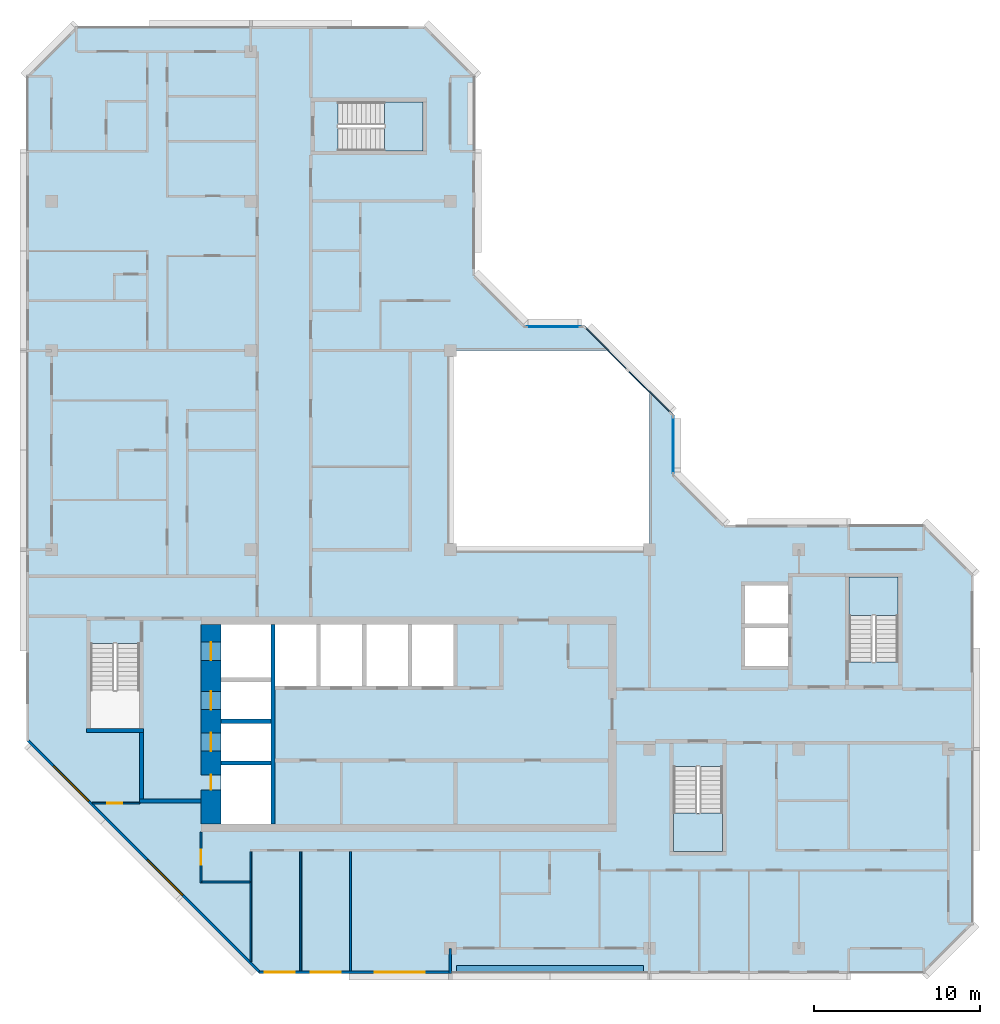
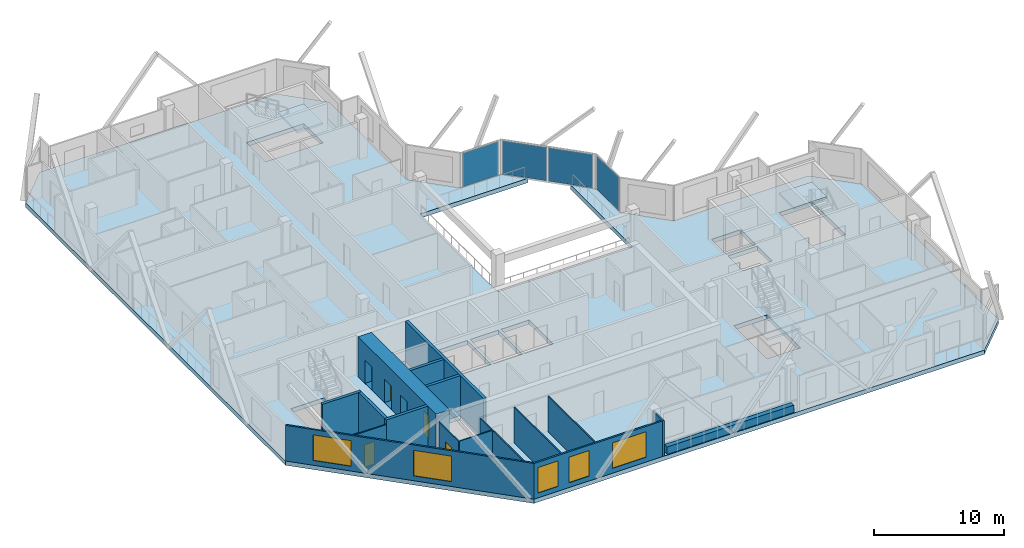
# One storey, part 3 of 12: 17 walls, 6 doors, 5 windows, 4 plates, 4 slabs, 11 openings, 6 elements without a shape of their own.
"""IFC4 building model written with IfcOpenShell, lengths in metres."""

from ifc_helpers import new_model, si_unit, direction, frame, frame_2d, origin, origin_2d, place, context, subcontext, project, spatial, polyline, rectangle, outline, extrude, material, layer, layer_set, type_object, element, fill, aggregate, save


model = new_model("IFC4")

# Units and contexts
model_context = context("Model", 3, precision=1e-05, world=origin(), true_north=direction((0.0, 1.0)))
body_context = subcontext(model_context, "Body", "Model", "MODEL_VIEW")
ifc_project = project(units=[si_unit("LENGTHUNIT", "METRE"), si_unit("AREAUNIT", "SQUARE_METRE"), si_unit("VOLUMEUNIT", "CUBIC_METRE"), si_unit("PLANEANGLEUNIT", "RADIAN"), si_unit("MASSUNIT", "GRAM", prefix="KILO")], contexts=[model_context])

# Site, building, storey
site_placement = place(None, origin())
site = spatial("IfcSite", under=ifc_project, at=site_placement, CompositionType="ELEMENT")
building_placement = place(site_placement, origin())
building = spatial("IfcBuilding", under=site, at=building_placement, Name="Chenar Terraces", CompositionType="ELEMENT")
storey_placement = place(building_placement, frame((0.0, 0.0, 353.89990234375)))
storey = spatial("IfcBuildingStorey", under=building, at=storey_placement, Name="L82", CompositionType="ELEMENT", Elevation=353.89990234375)

# Curtain wall, plate
ifc_material_1 = material(Name="Aluminium framed glazing", Category="aluminium")
ifc_layer_1 = layer(ifc_material_1, 0.14990234375)
ifc_layer_set_1 = layer_set([ifc_layer_1], Name="Aluminium framed glazing")
curtain_wall_type = type_object("IfcCurtainWallType", Name="Atrium upper-zone curtain wall", PredefinedType="NOTDEFINED", material=ifc_layer_set_1)
placement_1 = place(storey_placement, origin())
curtain_wall_1 = element("IfcCurtainWall", 1, at=placement_1, inside=storey, type_object=curtain_wall_type, Name="Atrium upper-zone curtain wall", PredefinedType="NOTDEFINED")
ifc_material_2 = material(Name="Low emissivity laminated glass, solar control coating", Category="glass")
ifc_layer_2 = layer(ifc_material_2, 0.050048828125)
ifc_layer_set_2 = layer_set([ifc_layer_2], Name="Low emissivity laminated glass, solar control coating")
plate_type = type_object("IfcPlateType", Name="Atrium upper-zone glazing panel 50", PredefinedType="CURTAIN_PANEL", material=ifc_layer_set_2)
plate_1_placement = place(storey_placement, frame((37.425048828125, 30.300048828125, 0.10009765625), z_axis=(0.0, 0.0, 1.0), x_axis=(0.0, 1.0, 0.0)))
plate_1 = element("IfcPlate", 2, at=plate_1_placement, type_object=plate_type, Name="CW8-1 panel 1.1", PredefinedType="CURTAIN_PANEL", context=body_context, shape_type="SweptSolid", body=[
    extrude(rectangle(XDim=3.39990234375, YDim=0.050048828125, at=origin_2d()), origin(), (0.0, 0.0, 1.0), 3.14990234375),
])
aggregate(curtain_wall_1, [plate_1])

# Curtain wall, plates
curtain_wall_2 = element("IfcCurtainWall", 3, at=placement_1, inside=storey, type_object=curtain_wall_type, Name="Atrium upper-zone curtain wall", PredefinedType="NOTDEFINED")
plate_2_placement = place(storey_placement, frame((35.97314453125, 33.520751953125, 0.10009765625), z_axis=(0.0, 0.0, 1.0), x_axis=(-0.707106781187, 0.707106781187, 0.0)))
plate_2 = element("IfcPlate", 4, at=plate_2_placement, type_object=plate_type, Name="CW8-2 panel 1.1", PredefinedType="CURTAIN_PANEL", context=body_context, shape_type="SweptSolid", body=[
    extrude(rectangle(XDim=3.568359375, YDim=0.050048828125, at=origin_2d()), origin(), (0.0, 0.0, 1.0), 3.14990234375),
])
plate_3_placement = place(storey_placement, frame((33.379150390625, 36.11474609375, 0.10009765625), z_axis=(0.0, 0.0, 1.0), x_axis=(-0.707106781187, 0.707106781187, 0.0)))
plate_3 = element("IfcPlate", 5, at=plate_3_placement, type_object=plate_type, Name="CW8-2 panel 2.1", PredefinedType="CURTAIN_PANEL", context=body_context, shape_type="SweptSolid", body=[
    extrude(rectangle(XDim=3.568359375, YDim=0.050048828125, at=origin_2d()), origin(), (0.0, 0.0, 1.0), 3.14990234375),
])
aggregate(curtain_wall_2, [plate_2, plate_3])

# Curtain wall, plate
curtain_wall_3 = element("IfcCurtainWall", 6, at=placement_1, inside=storey, type_object=curtain_wall_type, Name="Atrium upper-zone curtain wall", PredefinedType="NOTDEFINED")
plate_4_placement = place(storey_placement, frame((30.199951171875, 37.425048828125, 0.10009765625), z_axis=(0.0, 0.0, 1.0), x_axis=(-1.0, 0.0, 0.0)))
plate_4 = element("IfcPlate", 7, at=plate_4_placement, type_object=plate_type, Name="CW8-3 panel 1.1", PredefinedType="CURTAIN_PANEL", context=body_context, shape_type="SweptSolid", body=[
    extrude(rectangle(XDim=3.199951171875, YDim=0.050048828125, at=origin_2d()), origin(), (0.0, 0.0, 1.0), 3.14990234375),
])
aggregate(curtain_wall_3, [plate_4])

# Stair, slab
ifc_material_3 = material(Name="Reinforced concrete C40/50", Category="concrete")
stair_type = type_object("IfcStairType", Name="Core stair 1400 half-turn", PredefinedType="HALF_TURN_STAIR", material=ifc_material_3)
stair_1 = element("IfcStair", 8, at=placement_1, inside=storey, type_object=stair_type, Name="L82 Stair 2", PredefinedType="HALF_TURN_STAIR")
ifc_material_4 = material(Name="Reinforced concrete C40/50", Category="concrete")
ifc_layer_3 = layer(ifc_material_4, 0.199951171875)
ifc_layer_set_3 = layer_set([ifc_layer_3], Name="Reinforced concrete C40/50")
slab_type_1 = type_object("IfcSlabType", Name="Core stair landing 200", PredefinedType="LANDING", material=ifc_layer_set_3)
placement_2 = place(storey_placement, frame((0.0, 0.0, 1.675048828125)))
slab_1 = element("IfcSlab", 9, at=placement_2, type_object=slab_type_1, Name="ST2 landing 1", PredefinedType="LANDING", context=body_context, shape_type="SweptSolid", body=[
    extrude(outline(polyline([(37.449951171875, 8.14990234375), (37.449951171875, 5.85009765625), (40.39990234375, 5.85009765625), (40.39990234375, 8.14990234375), (37.449951171875, 8.14990234375)])), origin(), (0.0, 0.0, 1.0), 0.199951171875),
])
aggregate(stair_1, [slab_1])

stair_2 = element("IfcStair", 10, at=placement_1, inside=storey, type_object=stair_type, Name="L82 Stair 3", PredefinedType="HALF_TURN_STAIR")
slab_2 = element("IfcSlab", 11, at=placement_2, type_object=slab_type_1, Name="ST3 landing 1", PredefinedType="LANDING", context=body_context, shape_type="SweptSolid", body=[
    extrude(outline(polyline([(50.97509765625, 20.050048828125), (50.97509765625, 22.35009765625), (48.02490234375, 22.35009765625), (48.02490234375, 20.050048828125), (50.97509765625, 20.050048828125)])), origin(), (0.0, 0.0, 1.0), 0.199951171875),
])
aggregate(stair_2, [slab_2])

stair_3 = element("IfcStair", 12, at=placement_1, inside=storey, type_object=stair_type, Name="L82 Stair 4", PredefinedType="HALF_TURN_STAIR")
slab_3 = element("IfcSlab", 13, at=placement_2, type_object=slab_type_1, Name="ST4 landing 1", PredefinedType="LANDING", context=body_context, shape_type="SweptSolid", body=[
    extrude(outline(polyline([(20.050048828125, 48.02490234375), (22.35009765625, 48.02490234375), (22.35009765625, 50.97509765625), (20.050048828125, 50.97509765625), (20.050048828125, 48.02490234375)])), origin(), (0.0, 0.0, 1.0), 0.199951171875),
])
aggregate(stair_3, [slab_3])

# Slab
ifc_material_5 = material(Name="Concrete C40/50", Category="concrete")
ifc_layer_4 = layer(ifc_material_5, 0.39990234375)
ifc_layer_set_4 = layer_set([ifc_layer_4], Name="Concrete C40/50")
slab_type_2 = type_object("IfcSlabType", Name="Floor slab 400 Concrete C40/50", PredefinedType="FLOOR", material=ifc_layer_set_4)
slab_4_placement = place(storey_placement, frame((0.0, 0.0, -0.39990234375)))
element("IfcSlab", 14, at=slab_4_placement, inside=storey, type_object=slab_type_2, Name="Floor slab L82", PredefinedType="FLOOR", context=body_context, shape_type="SweptSolid", body=[
    extrude(outline(polyline([(55.5, 22.5), (55.5, 1.5), (52.5, -1.5), (12.5, -1.5), (-1.5, 12.5), (-1.5, 52.5), (1.5, 55.5), (22.5, 55.5), (25.5, 52.5), (25.5, 40.5), (28.5, 37.5), (32.10009765625, 37.5), (33.60009765625, 36.0), (24.0, 36.0), (24.0, 24.0), (36.0, 24.0), (36.0, 33.60009765625), (37.5, 32.10009765625), (37.5, 28.5), (40.5, 25.5), (52.5, 25.5), (55.5, 22.5)]), holes=[polyline([(10.199951171875, 11.050048828125), (10.199951171875, 7.5), (13.199951171875, 7.5), (13.199951171875, 11.050048828125), (10.199951171875, 11.050048828125)]), polyline([(13.199951171875, 13.550048828125), (10.199951171875, 13.550048828125), (10.199951171875, 11.300048828125), (13.199951171875, 11.300048828125), (13.199951171875, 13.550048828125)]), polyline([(13.199951171875, 16.050048828125), (10.199951171875, 16.050048828125), (10.199951171875, 13.800048828125), (13.199951171875, 13.800048828125), (13.199951171875, 16.050048828125)]), polyline([(2.35009765625, 13.25), (5.300048828125, 13.25), (5.300048828125, 18.35009765625), (2.35009765625, 18.35009765625), (2.35009765625, 13.25)]), polyline([(15.949951171875, 19.5), (13.449951171875, 19.5), (13.449951171875, 15.800048828125), (15.949951171875, 15.800048828125), (15.949951171875, 19.5)]), polyline([(18.699951171875, 19.5), (16.199951171875, 19.5), (16.199951171875, 15.800048828125), (18.699951171875, 15.800048828125), (18.699951171875, 19.5)]), polyline([(13.199951171875, 19.5), (10.199951171875, 19.5), (10.199951171875, 16.300048828125), (13.199951171875, 16.300048828125), (13.199951171875, 19.5)]), polyline([(22.35009765625, 48.02490234375), (22.35009765625, 50.97509765625), (17.25, 50.97509765625), (17.25, 48.02490234375), (22.35009765625, 48.02490234375)]), polyline([(37.449951171875, 5.85009765625), (40.39990234375, 5.85009765625), (40.39990234375, 10.949951171875), (37.449951171875, 10.949951171875), (37.449951171875, 5.85009765625)]), polyline([(21.449951171875, 19.5), (18.949951171875, 19.5), (18.949951171875, 15.800048828125), (21.449951171875, 15.800048828125), (21.449951171875, 19.5)]), polyline([(24.199951171875, 19.5), (21.699951171875, 19.5), (21.699951171875, 15.800048828125), (24.199951171875, 15.800048828125), (24.199951171875, 19.5)]), polyline([(44.35009765625, 19.300048828125), (41.75, 19.300048828125), (41.75, 17.0), (44.35009765625, 17.0), (44.35009765625, 19.300048828125)]), polyline([(50.97509765625, 22.35009765625), (48.02490234375, 22.35009765625), (48.02490234375, 17.25), (50.97509765625, 17.25), (50.97509765625, 22.35009765625)]), polyline([(44.35009765625, 21.85009765625), (41.75, 21.85009765625), (41.75, 19.550048828125), (44.35009765625, 19.550048828125), (44.35009765625, 21.85009765625)])]), origin(), (0.0, 0.0, 1.0), 0.39990234375),
])

# Wall, openings, doors
ifc_material_6 = material(Name="Concrete C50/60", Category="concrete")
ifc_layer_5 = layer(ifc_material_6, 1.199951171875)
ifc_layer_set_5 = layer_set([ifc_layer_5], Name="Concrete C50/60")
wall_type_1 = type_object("IfcWallType", Name="Core wall 1200 Concrete C50/60", PredefinedType="SHEAR", material=ifc_layer_set_5)
wall_1_placement = place(storey_placement, frame((9.60009765625, 7.5, 0.0), z_axis=(0.0, 0.0, 1.0), x_axis=(0.0, 1.0, 0.0)))
wall_1 = element("IfcWall", 15, at=wall_1_placement, inside=storey, type_object=wall_type_1, Name="Core wall W L82", PredefinedType="SHEAR", context=body_context, shape_type="SweptSolid", body=[
    extrude(rectangle(XDim=12.0, YDim=1.199951171875, at=frame_2d((6.0, 0.0))), origin(), (0.0, 0.0, 1.0), 3.75),
])
opening_1_placement = place(wall_1_placement, frame((4.375, 0.0, 0.0)))
opening_1 = element("IfcOpeningElement", 16, at=opening_1_placement, cuts=wall_1, Name="Opening DL82-LD5", PredefinedType="OPENING", context=body_context, shape_type="SweptSolid", body=[
    extrude(rectangle(XDim=1.10009765625, YDim=2.199951171875, at=frame_2d((0.550048828125, 1.10009765625))), frame((0.0, 0.60986328125, 0.0), z_axis=(0.0, -1.0, 0.0), x_axis=(1.0, 0.0, 0.0)), (0.0, 0.0, 1.0), 1.219970703125),
])
opening_2_placement = place(wall_1_placement, frame((6.875, 0.0, 0.0)))
opening_2 = element("IfcOpeningElement", 17, at=opening_2_placement, cuts=wall_1, Name="Opening DL82-LD6", PredefinedType="OPENING", context=body_context, shape_type="SweptSolid", body=[
    extrude(rectangle(XDim=1.10009765625, YDim=2.199951171875, at=frame_2d((0.550048828125, 1.10009765625))), frame((0.0, 0.60986328125, 0.0), z_axis=(0.0, -1.0, 0.0), x_axis=(1.0, 0.0, 0.0)), (0.0, 0.0, 1.0), 1.219970703125),
])
opening_3_placement = place(wall_1_placement, frame((9.85009765625, 0.0, 0.0)))
opening_3 = element("IfcOpeningElement", 18, at=opening_3_placement, cuts=wall_1, Name="Opening DL82-LD7", PredefinedType="OPENING", context=body_context, shape_type="SweptSolid", body=[
    extrude(rectangle(XDim=1.10009765625, YDim=2.199951171875, at=frame_2d((0.550048828125, 1.10009765625))), frame((0.0, 0.60986328125, 0.0), z_axis=(0.0, -1.0, 0.0), x_axis=(1.0, 0.0, 0.0)), (0.0, 0.0, 1.0), 1.219970703125),
])
opening_4_placement = place(wall_1_placement, frame((2.050048828125, 0.0, 0.0)))
opening_4 = element("IfcOpeningElement", 19, at=opening_4_placement, cuts=wall_1, Name="Opening DL82-C4", PredefinedType="OPENING", context=body_context, shape_type="SweptSolid", body=[
    extrude(rectangle(XDim=0.89990234375, YDim=2.10009765625, at=frame_2d((0.449951171875, 1.050048828125))), frame((0.0, 0.60986328125, 0.0), z_axis=(0.0, -1.0, 0.0), x_axis=(1.0, 0.0, 0.0)), (0.0, 0.0, 1.0), 1.219970703125),
])
ifc_material_7 = material(Name="Stainless steel", Category="steel")
door_type_1 = type_object("IfcDoorType", Name="Lift landing door 1100 x 2200 sliding", OperationType="DOUBLE_DOOR_SLIDING", PredefinedType="DOOR", material=ifc_material_7)
door_1_placement = place(opening_1_placement, origin())
door_1 = element("IfcDoor", 20, at=door_1_placement, inside=storey, type_object=door_type_1, Name="Landing door S1", OperationType="DOUBLE_DOOR_SLIDING", OverallHeight=2.199951171875, OverallWidth=1.10009765625, PredefinedType="DOOR", context=body_context, shape_type="SweptSolid", body=[
    extrude(rectangle(XDim=1.10009765625, YDim=2.199951171875, at=frame_2d((0.550048828125, 1.10009765625))), frame((0.0, 0.02490234375, 0.0), z_axis=(0.0, -1.0, 0.0), x_axis=(1.0, 0.0, 0.0)), (0.0, 0.0, 1.0), 0.050048828125),
])
fill(opening_1, door_1)
door_2_placement = place(opening_2_placement, origin())
door_2 = element("IfcDoor", 21, at=door_2_placement, inside=storey, type_object=door_type_1, Name="Landing door F1", OperationType="DOUBLE_DOOR_SLIDING", OverallHeight=2.199951171875, OverallWidth=1.10009765625, PredefinedType="DOOR", context=body_context, shape_type="SweptSolid", body=[
    extrude(rectangle(XDim=1.10009765625, YDim=2.199951171875, at=frame_2d((0.550048828125, 1.10009765625))), frame((0.0, 0.02490234375, 0.0), z_axis=(0.0, -1.0, 0.0), x_axis=(1.0, 0.0, 0.0)), (0.0, 0.0, 1.0), 0.050048828125),
])
fill(opening_2, door_2)
door_3_placement = place(opening_3_placement, origin())
door_3 = element("IfcDoor", 22, at=door_3_placement, inside=storey, type_object=door_type_1, Name="Landing door F2", OperationType="DOUBLE_DOOR_SLIDING", OverallHeight=2.199951171875, OverallWidth=1.10009765625, PredefinedType="DOOR", context=body_context, shape_type="SweptSolid", body=[
    extrude(rectangle(XDim=1.10009765625, YDim=2.199951171875, at=frame_2d((0.550048828125, 1.10009765625))), frame((0.0, 0.02490234375, 0.0), z_axis=(0.0, -1.0, 0.0), x_axis=(1.0, 0.0, 0.0)), (0.0, 0.0, 1.0), 0.050048828125),
])
fill(opening_3, door_3)
ifc_material_8 = material(Name="Steel-framed fire-resisting door leaf", Category="steel")
door_type_2 = type_object("IfcDoorType", Name="Riser fire door FD60 900 x 2100", OperationType="SINGLE_SWING_LEFT", PredefinedType="DOOR", material=ifc_material_8)
door_4_placement = place(opening_4_placement, frame((0.89990234375, 0.0, 0.0), z_axis=(0.0, 0.0, 1.0), x_axis=(-1.0, 0.0, 0.0)))
door_4 = element("IfcDoor", 23, at=door_4_placement, inside=storey, type_object=door_type_2, Name="Riser door DL82-C4", OperationType="SINGLE_SWING_LEFT", OverallHeight=2.10009765625, OverallWidth=0.89990234375, PredefinedType="DOOR", context=body_context, shape_type="SweptSolid", body=[
    extrude(rectangle(XDim=0.89990234375, YDim=2.10009765625, at=frame_2d((0.449951171875, 1.050048828125))), frame((0.0, 0.02490234375, 0.0), z_axis=(0.0, -1.0, 0.0), x_axis=(1.0, 0.0, 0.0)), (0.0, 0.0, 1.0), 0.050048828125),
])
fill(opening_4, door_4)

# Walls
ifc_material_9 = material(Name="Concrete C50/60", Category="concrete")
ifc_layer_6 = layer(ifc_material_9, 0.25)
ifc_layer_set_6 = layer_set([ifc_layer_6], Name="Concrete C50/60")
wall_type_2 = type_object("IfcWallType", Name="Core wall 250 Concrete C50/60", PredefinedType="SHEAR", material=ifc_layer_set_6)
wall_2_placement = place(storey_placement, frame((13.324951171875, 7.5, 0.0), z_axis=(0.0, 0.0, 1.0), x_axis=(0.0, 1.0, 0.0)))
element("IfcWall", 24, at=wall_2_placement, inside=storey, type_object=wall_type_2, Name="Core wall WI L82", PredefinedType="SHEAR", context=body_context, shape_type="SweptSolid", body=[
    extrude(rectangle(XDim=12.0, YDim=0.25, at=frame_2d((6.0, 0.0))), origin(), (0.0, 0.0, 1.0), 3.75),
])
for number, where, z_axis, x_axis, name in (
    (25, (10.199951171875, 11.175048828125, 0.0), (0.0, 0.0, 1.0), (1.0, 0.0, 0.0), "Core wall HW0 L82"),
    (26, (10.199951171875, 13.675048828125, 0.0), (0.0, 0.0, 1.0), (1.0, 0.0, 0.0), "Core wall HW1 L82"),
):
    element("IfcWall", number, at=place(storey_placement, frame(where, z_axis=z_axis, x_axis=x_axis)), inside=storey, type_object=wall_type_2, Name=name, PredefinedType="SHEAR", context=body_context, shape_type="SweptSolid", body=[
        extrude(rectangle(XDim=3.0, YDim=0.25, at=frame_2d((1.5, 0.0))), origin(), (0.0, 0.0, 1.0), 3.75),
    ])
wall_3_placement = place(storey_placement, frame((2.10009765625, 13.125, 0.0), z_axis=(0.0, 0.0, 1.0), x_axis=(1.0, 0.0, 0.0)))
element("IfcWall", 27, at=wall_3_placement, inside=storey, type_object=wall_type_2, Name="Core wall ST1_S L82", PredefinedType="SHEAR", context=body_context, shape_type="SweptSolid", body=[
    extrude(rectangle(XDim=3.449951171875, YDim=0.25, at=frame_2d((1.72509765625, 0.0))), origin(), (0.0, 0.0, 1.0), 3.75),
])
wall_4_placement = place(storey_placement, frame((5.300048828125, 8.875, 0.0), z_axis=(0.0, 0.0, 1.0), x_axis=(1.0, 0.0, 0.0)))
element("IfcWall", 28, at=wall_4_placement, inside=storey, type_object=wall_type_2, Name="Core wall FFL_S L82", PredefinedType="SHEAR", context=body_context, shape_type="SweptSolid", body=[
    extrude(rectangle(XDim=3.699951171875, YDim=0.25, at=frame_2d((1.85009765625, 0.0))), origin(), (0.0, 0.0, 1.0), 3.75),
])
wall_5_placement = place(storey_placement, frame((5.425048828125, 9.0, 0.0), z_axis=(0.0, 0.0, 1.0), x_axis=(0.0, 1.0, 0.0)))
element("IfcWall", 29, at=wall_5_placement, inside=storey, type_object=wall_type_2, Name="Core wall FFL_W L82", PredefinedType="SHEAR", context=body_context, shape_type="SweptSolid", body=[
    extrude(rectangle(XDim=4.0, YDim=0.25, at=frame_2d((2.0, 0.0))), origin(), (0.0, 0.0, 1.0), 3.75),
])

# Wall, openings, windows
ifc_material_10 = material(Name="Aluminium framed glazing", Category="aluminium")
ifc_layer_7 = layer(ifc_material_10, 0.14990234375)
ifc_layer_set_7 = layer_set([ifc_layer_7], Name="Aluminium framed glazing")
wall_type_3 = type_object("IfcWallType", Name="Glazed flush facade wall 150", PredefinedType="SOLIDWALL", material=ifc_layer_set_7)
wall_6_placement = place(storey_placement, frame((12.5, -1.425048828125, 0.0), z_axis=(0.0, 0.0, 1.0), x_axis=(1.0, 0.0, 0.0)))
wall_6 = element("IfcWall", 30, at=wall_6_placement, inside=storey, type_object=wall_type_3, Name="Glazed flush facade wall", PredefinedType="SOLIDWALL", context=body_context, shape_type="SweptSolid", body=[
    extrude(rectangle(XDim=11.425048828125, YDim=0.14990234375, at=frame_2d((5.71240234375, 0.0))), origin(), (0.0, 0.0, 1.0), 3.35009765625),
])
opening_5_placement = place(wall_6_placement, frame((0.35009765625, 0.0, 0.449951171875)))
opening_5 = element("IfcOpeningElement", 31, at=opening_5_placement, cuts=wall_6, Name="Opening W180x240", PredefinedType="OPENING", context=body_context, shape_type="SweptSolid", body=[
    extrude(rectangle(XDim=1.800048828125, YDim=2.39990234375, at=frame_2d((0.89990234375, 1.199951171875))), frame((0.0, 0.0849609375, 0.0), z_axis=(0.0, -1.0, 0.0), x_axis=(1.0, 0.0, 0.0)), (0.0, 0.0, 1.0), 0.169921875),
])
opening_6_placement = place(wall_6_placement, frame((3.10009765625, 0.0, 0.449951171875)))
opening_6 = element("IfcOpeningElement", 32, at=opening_6_placement, cuts=wall_6, Name="Opening W180x240", PredefinedType="OPENING", context=body_context, shape_type="SweptSolid", body=[
    extrude(rectangle(XDim=1.800048828125, YDim=2.39990234375, at=frame_2d((0.89990234375, 1.199951171875))), frame((0.0, 0.0849609375, 0.0), z_axis=(0.0, -1.0, 0.0), x_axis=(1.0, 0.0, 0.0)), (0.0, 0.0, 1.0), 0.169921875),
])
opening_7_placement = place(wall_6_placement, frame((6.96240234375, 0.0, 0.449951171875)))
opening_7 = element("IfcOpeningElement", 33, at=opening_7_placement, cuts=wall_6, Name="Opening W300x240", PredefinedType="OPENING", context=body_context, shape_type="SweptSolid", body=[
    extrude(rectangle(XDim=3.0, YDim=2.39990234375, at=frame_2d((1.5, 1.199951171875))), frame((0.0, 0.0849609375, 0.0), z_axis=(0.0, -1.0, 0.0), x_axis=(1.0, 0.0, 0.0)), (0.0, 0.0, 1.0), 0.169921875),
])
ifc_material_11 = material(Name="Low emissivity double glazing, aluminium frame", Category="aluminium")
window_type_1 = type_object("IfcWindowType", Name="Fixed light 1800 x 2400", PartitioningType="SINGLE_PANEL", PredefinedType="WINDOW", material=ifc_material_11)
window_1_placement = place(opening_5_placement, origin())
window_1 = element("IfcWindow", 34, at=window_1_placement, inside=storey, type_object=window_type_1, Name="Window", OverallHeight=2.39990234375, OverallWidth=1.800048828125, PartitioningType="SINGLE_PANEL", PredefinedType="WINDOW", context=body_context, shape_type="SweptSolid", body=[
    extrude(rectangle(XDim=1.800048828125, YDim=2.39990234375, at=frame_2d((0.89990234375, 1.199951171875))), frame((0.0, 0.030029296875, 0.0), z_axis=(0.0, -1.0, 0.0), x_axis=(1.0, 0.0, 0.0)), (0.0, 0.0, 1.0), 0.06005859375),
])
fill(opening_5, window_1)
window_2_placement = place(opening_6_placement, origin())
window_2 = element("IfcWindow", 35, at=window_2_placement, inside=storey, type_object=window_type_1, Name="Window", OverallHeight=2.39990234375, OverallWidth=1.800048828125, PartitioningType="SINGLE_PANEL", PredefinedType="WINDOW", context=body_context, shape_type="SweptSolid", body=[
    extrude(rectangle(XDim=1.800048828125, YDim=2.39990234375, at=frame_2d((0.89990234375, 1.199951171875))), frame((0.0, 0.030029296875, 0.0), z_axis=(0.0, -1.0, 0.0), x_axis=(1.0, 0.0, 0.0)), (0.0, 0.0, 1.0), 0.06005859375),
])
fill(opening_6, window_2)
ifc_material_12 = material(Name="Low emissivity double glazing, aluminium frame", Category="aluminium")
window_type_2 = type_object("IfcWindowType", Name="Fixed light 3000 x 2400", PartitioningType="SINGLE_PANEL", PredefinedType="WINDOW", material=ifc_material_12)
window_3_placement = place(opening_7_placement, origin())
window_3 = element("IfcWindow", 36, at=window_3_placement, inside=storey, type_object=window_type_2, Name="Window", OverallHeight=2.39990234375, OverallWidth=3.0, PartitioningType="SINGLE_PANEL", PredefinedType="WINDOW", context=body_context, shape_type="SweptSolid", body=[
    extrude(rectangle(XDim=3.0, YDim=2.39990234375, at=frame_2d((1.5, 1.199951171875))), frame((0.0, 0.030029296875, 0.0), z_axis=(0.0, -1.0, 0.0), x_axis=(1.0, 0.0, 0.0)), (0.0, 0.0, 1.0), 0.06005859375),
])
fill(opening_7, window_3)

# Wall, opening, door
ifc_material_13 = material(Name="Gypsum board on steel studs", Category="steel")
ifc_layer_8 = layer(ifc_material_13, 0.10009765625)
ifc_layer_set_8 = layer_set([ifc_layer_8], Name="Gypsum board on steel studs")
wall_type_4 = type_object("IfcWallType", Name="Gypsum partition 100", PredefinedType="PARTITIONING", material=ifc_layer_set_8)
wall_7_placement = place(storey_placement, frame((2.4609375, 8.75, 0.0), z_axis=(0.0, 0.0, 1.0), x_axis=(1.0, 0.0, 0.0)))
wall_7 = element("IfcWall", 37, at=wall_7_placement, inside=storey, type_object=wall_type_4, Name="Partition L82-009", PredefinedType="PARTITIONING", context=body_context, shape_type="SweptSolid", body=[
    extrude(rectangle(XDim=2.839111328125, YDim=0.10009765625, at=frame_2d((1.41943359375, 0.0))), origin(), (0.0, 0.0, 1.0), 3.35009765625),
])
opening_8_placement = place(wall_7_placement, frame((0.888916015625, 0.0, 0.0)))
opening_8 = element("IfcOpeningElement", 38, at=opening_8_placement, cuts=wall_7, Name="Opening DL82-31", PredefinedType="OPENING", context=body_context, shape_type="SweptSolid", body=[
    extrude(rectangle(XDim=0.89990234375, YDim=2.10009765625, at=frame_2d((0.449951171875, 1.050048828125))), frame((0.0, 0.06005859375, 0.0), z_axis=(0.0, -1.0, 0.0), x_axis=(1.0, 0.0, 0.0)), (0.0, 0.0, 1.0), 0.1201171875),
])
ifc_material_14 = material(Name="Veneered timber door leaf", Category="wood")
door_type_3 = type_object("IfcDoorType", Name="Door 900 x 2100", OperationType="SINGLE_SWING_LEFT", PredefinedType="DOOR", material=ifc_material_14)
door_5_placement = place(opening_8_placement, frame((0.89990234375, 0.0, 0.0), z_axis=(0.0, 0.0, 1.0), x_axis=(-1.0, 0.0, 0.0)))
door_5 = element("IfcDoor", 39, at=door_5_placement, inside=storey, type_object=door_type_3, Name="Door DL82-31", OperationType="SINGLE_SWING_RIGHT", OverallHeight=2.10009765625, OverallWidth=0.89990234375, PredefinedType="DOOR", context=body_context, shape_type="SweptSolid", body=[
    extrude(rectangle(XDim=0.89990234375, YDim=2.10009765625, at=frame_2d((0.449951171875, 1.050048828125))), frame((0.0, 0.02490234375, 0.0), z_axis=(0.0, -1.0, 0.0), x_axis=(1.0, 0.0, 0.0)), (0.0, 0.0, 1.0), 0.050048828125),
])
fill(opening_8, door_5)

wall_8_placement = place(storey_placement, frame((9.0, 3.949951171875, 0.0), z_axis=(0.0, 0.0, 1.0), x_axis=(0.0, 1.0, 0.0)))
wall_8 = element("IfcWall", 40, at=wall_8_placement, inside=storey, type_object=wall_type_4, Name="Partition L82-028", PredefinedType="PARTITIONING", context=body_context, shape_type="SweptSolid", body=[
    extrude(rectangle(XDim=3.050048828125, YDim=0.10009765625, at=frame_2d((1.52490234375, 0.0))), origin(), (0.0, 0.0, 1.0), 3.35009765625),
])
opening_9_placement = place(wall_8_placement, frame((1.10009765625, 0.0, 0.0)))
opening_9 = element("IfcOpeningElement", 41, at=opening_9_placement, cuts=wall_8, Name="Opening DL82-30", PredefinedType="OPENING", context=body_context, shape_type="SweptSolid", body=[
    extrude(rectangle(XDim=0.89990234375, YDim=2.10009765625, at=frame_2d((0.449951171875, 1.050048828125))), frame((0.0, 0.06005859375, 0.0), z_axis=(0.0, -1.0, 0.0), x_axis=(1.0, 0.0, 0.0)), (0.0, 0.0, 1.0), 0.1201171875),
])
door_6_placement = place(opening_9_placement, origin())
door_6 = element("IfcDoor", 42, at=door_6_placement, inside=storey, type_object=door_type_3, Name="Door DL82-30", OperationType="SINGLE_SWING_LEFT", OverallHeight=2.10009765625, OverallWidth=0.89990234375, PredefinedType="DOOR", context=body_context, shape_type="SweptSolid", body=[
    extrude(rectangle(XDim=0.89990234375, YDim=2.10009765625, at=frame_2d((0.449951171875, 1.050048828125))), frame((0.0, 0.02490234375, 0.0), z_axis=(0.0, -1.0, 0.0), x_axis=(1.0, 0.0, 0.0)), (0.0, 0.0, 1.0), 0.050048828125),
])
fill(opening_9, door_6)

# Walls
wall_9_placement = place(storey_placement, frame((9.050048828125, 4.0, 0.0), z_axis=(0.0, 0.0, 1.0), x_axis=(1.0, 0.0, 0.0)))
element("IfcWall", 43, at=wall_9_placement, inside=storey, type_object=wall_type_4, Name="Partition L82-029", PredefinedType="PARTITIONING", context=body_context, shape_type="SweptSolid", body=[
    extrude(rectangle(XDim=2.89990234375, YDim=0.10009765625, at=frame_2d((1.449951171875, 0.0))), origin(), (0.0, 0.0, 1.0), 3.35009765625),
])
wall_10_placement = place(storey_placement, frame((12.0, -0.787841796875, 0.0), z_axis=(0.0, 0.0, 1.0), x_axis=(0.0, 1.0, 0.0)))
element("IfcWall", 44, at=wall_10_placement, inside=storey, type_object=wall_type_4, Name="Partition L82-031", PredefinedType="PARTITIONING", context=body_context, shape_type="SweptSolid", body=[
    extrude(rectangle(XDim=6.61279296875, YDim=0.10009765625, at=frame_2d((3.306396484375, 0.0))), origin(), (0.0, 0.0, 1.0), 3.35009765625),
])
wall_11_placement = place(storey_placement, frame((15.0, -1.35107421875, 0.0), z_axis=(0.0, 0.0, 1.0), x_axis=(0.0, 1.0, 0.0)))
element("IfcWall", 45, at=wall_11_placement, inside=storey, type_object=wall_type_4, Name="Partition L82-033", PredefinedType="PARTITIONING", context=body_context, shape_type="SweptSolid", body=[
    extrude(rectangle(XDim=7.176025390625, YDim=0.10009765625, at=frame_2d((3.587890625, 0.0))), origin(), (0.0, 0.0, 1.0), 3.35009765625),
])
wall_12_placement = place(storey_placement, frame((18.0, -1.35009765625, 0.0), z_axis=(0.0, 0.0, 1.0), x_axis=(0.0, 1.0, 0.0)))
element("IfcWall", 46, at=wall_12_placement, inside=storey, type_object=wall_type_4, Name="Partition L82-042", PredefinedType="PARTITIONING", context=body_context, shape_type="SweptSolid", body=[
    extrude(rectangle(XDim=7.175048828125, YDim=0.10009765625, at=frame_2d((3.58740234375, 0.0))), origin(), (0.0, 0.0, 1.0), 3.35009765625),
])
ifc_material_15 = material(Name="Terracotta cladding on insulated backing", Category="masonry")
ifc_layer_9 = layer(ifc_material_15, 0.14990234375)
ifc_layer_set_9 = layer_set([ifc_layer_9], Name="Terracotta cladding on insulated backing")
wall_type_5 = type_object("IfcWallType", Name="Loggia return wall 150", PredefinedType="SOLIDWALL", material=ifc_layer_set_9)
wall_13_placement = place(storey_placement, frame((24.0, -1.5, 0.0), z_axis=(0.0, 0.0, 1.0), x_axis=(0.0, 1.0, 0.0)))
element("IfcWall", 47, at=wall_13_placement, inside=storey, type_object=wall_type_5, Name="Loggia return wall", PredefinedType="SOLIDWALL", context=body_context, shape_type="SweptSolid", body=[
    extrude(rectangle(XDim=1.5, YDim=0.14990234375, at=frame_2d((0.75, 0.0))), origin(), (0.0, 0.0, 1.0), 3.35009765625),
])

# Wall, openings, windows
ifc_material_16 = material(Name="Terracotta cladding on insulated backing", Category="masonry")
ifc_layer_10 = layer(ifc_material_16, 0.14990234375)
ifc_layer_set_10 = layer_set([ifc_layer_10], Name="Terracotta cladding on insulated backing")
wall_type_6 = type_object("IfcWallType", Name="Terracotta rainscreen wall 150", PredefinedType="SOLIDWALL", material=ifc_layer_set_10)
wall_14_placement = place(storey_placement, frame((-1.447021484375, 12.552978515625, 0.0), z_axis=(0.0, 0.0, 1.0), x_axis=(0.707106781187, -0.707106781187, 0.0)))
wall_14 = element("IfcWall", 48, at=wall_14_placement, inside=storey, type_object=wall_type_6, Name="Terracotta rainscreen wall", PredefinedType="SOLIDWALL", context=body_context, shape_type="SweptSolid", body=[
    extrude(rectangle(XDim=19.799072265625, YDim=0.14990234375, at=frame_2d((9.8994140625, 0.0))), origin(), (0.0, 0.0, 1.0), 3.35009765625),
])
opening_10_placement = place(wall_14_placement, frame((2.21240234375, 0.0, 0.449951171875)))
opening_10 = element("IfcOpeningElement", 49, at=opening_10_placement, cuts=wall_14, Name="Opening W300x240", PredefinedType="OPENING", context=body_context, shape_type="SweptSolid", body=[
    extrude(rectangle(XDim=3.0, YDim=2.39990234375, at=frame_2d((1.5, 1.199951171875))), frame((0.0, 0.0849609375, 0.0), z_axis=(0.0, -1.0, 0.0), x_axis=(1.0, 0.0, 0.0)), (0.0, 0.0, 1.0), 0.169921875),
])
opening_11_placement = place(wall_14_placement, frame((10.215576171875, 0.0, 0.449951171875)))
opening_11 = element("IfcOpeningElement", 50, at=opening_11_placement, cuts=wall_14, Name="Opening W300x240", PredefinedType="OPENING", context=body_context, shape_type="SweptSolid", body=[
    extrude(rectangle(XDim=3.0, YDim=2.39990234375, at=frame_2d((1.5, 1.199951171875))), frame((0.0, 0.0849609375, 0.0), z_axis=(0.0, -1.0, 0.0), x_axis=(1.0, 0.0, 0.0)), (0.0, 0.0, 1.0), 0.169921875),
])
window_4_placement = place(opening_10_placement, origin())
window_4 = element("IfcWindow", 51, at=window_4_placement, inside=storey, type_object=window_type_2, Name="Window", OverallHeight=2.39990234375, OverallWidth=3.0, PartitioningType="SINGLE_PANEL", PredefinedType="WINDOW", context=body_context, shape_type="SweptSolid", body=[
    extrude(rectangle(XDim=3.0, YDim=2.39990234375, at=frame_2d((1.5, 1.199951171875))), frame((0.0, 0.030029296875, 0.0), z_axis=(0.0, -1.0, 0.0), x_axis=(1.0, 0.0, 0.0)), (0.0, 0.0, 1.0), 0.06005859375),
])
fill(opening_10, window_4)
window_5_placement = place(opening_11_placement, origin())
window_5 = element("IfcWindow", 52, at=window_5_placement, inside=storey, type_object=window_type_2, Name="Window", OverallHeight=2.39990234375, OverallWidth=3.0, PartitioningType="SINGLE_PANEL", PredefinedType="WINDOW", context=body_context, shape_type="SweptSolid", body=[
    extrude(rectangle(XDim=3.0, YDim=2.39990234375, at=frame_2d((1.5, 1.199951171875))), frame((0.0, 0.030029296875, 0.0), z_axis=(0.0, -1.0, 0.0), x_axis=(1.0, 0.0, 0.0)), (0.0, 0.0, 1.0), 0.06005859375),
])
fill(opening_11, window_5)

# Wall
ifc_material_17 = material(Name="GRP planter trough")
ifc_layer_11 = layer(ifc_material_17, 0.39990234375)
ifc_layer_set_11 = layer_set([ifc_layer_11], Name="GRP planter trough")
wall_type_7 = type_object("IfcWallType", Name="Vertical greenery planter 400", PredefinedType="SOLIDWALL", material=ifc_layer_set_11)
wall_15_placement = place(storey_placement, frame((24.375, -1.22900390625, 0.0), z_axis=(0.0, 0.0, 1.0), x_axis=(1.0, 0.0, 0.0)))
element("IfcWall", 53, at=wall_15_placement, inside=storey, type_object=wall_type_7, Name="Vertical greenery planter", PredefinedType="SOLIDWALL", context=body_context, shape_type="SweptSolid", body=[
    extrude(rectangle(XDim=11.25, YDim=0.39990234375, at=frame_2d((5.625, 0.0))), origin(), (0.0, 0.0, 1.0), 0.7001953125),
])

save(model, "model.ifc")
